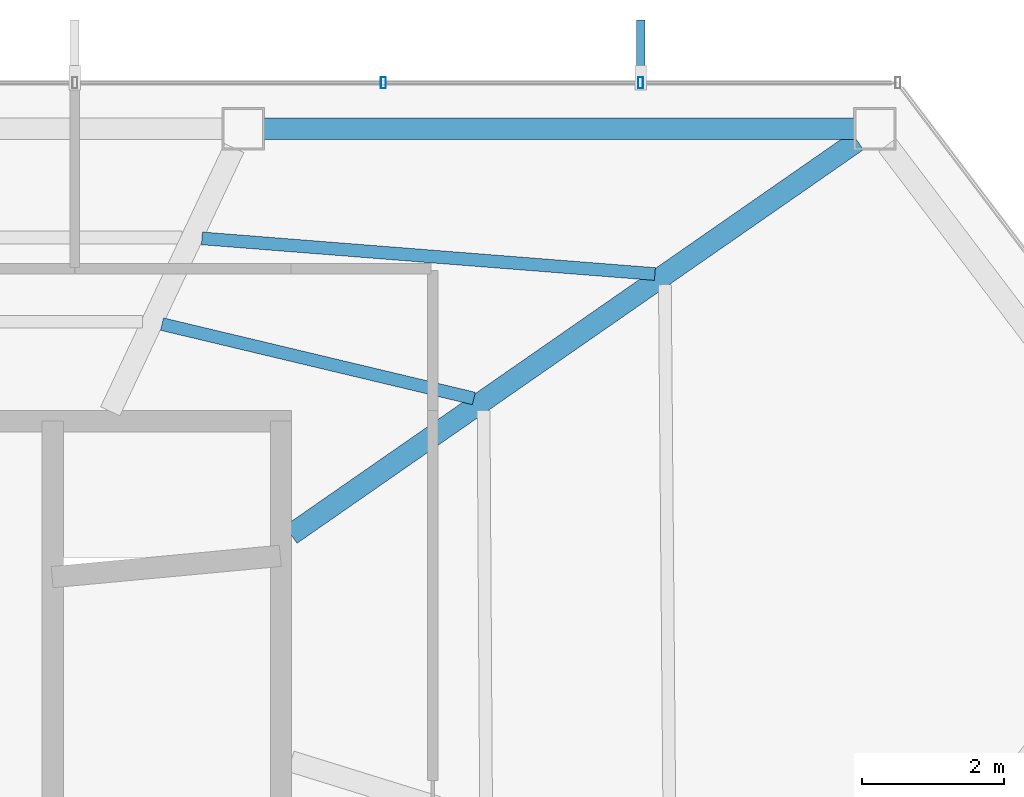
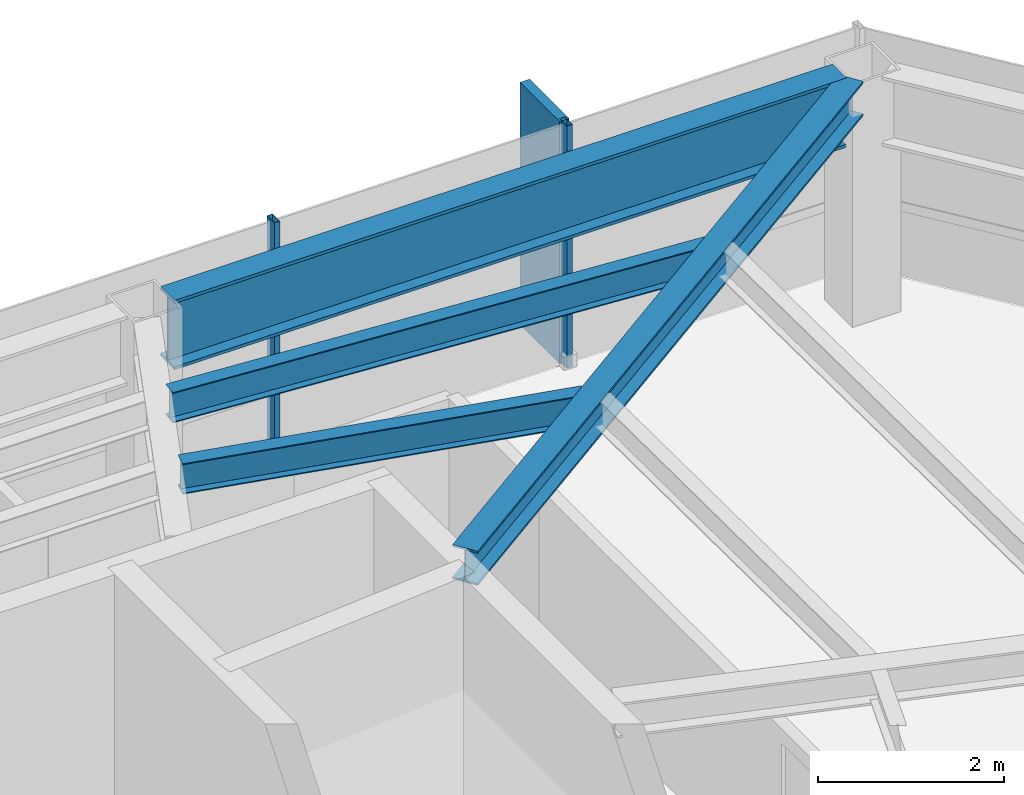
# One storey, part 21 of 27: 4 beams, 3 members, 1 element without a shape of its own.
"""IFC4 building model written with IfcOpenShell, lengths in metres."""

import ifcopenshell
import ifcopenshell.guid

model = None  # the IFC model being written
_history = None  # IfcOwnerHistory: only IFC2X3 demands one
_inside = {}  # id of a spatial element -> (the spatial element, [elements in it])
_under = {}  # id of a project, library or spatial element -> (it, [spatial elements below it])
_declared = {}  # id of a project -> (the project, [libraries it declares])
_typed = {}  # id of a type object -> (the type object, [elements of that type])
_made_of = {}  # id of a material, layer set ... -> (it, [elements and type objects made of it])


def new_model(schema):
    """Start an empty IFC model of exactly this schema.

    Asked for "IFC4X3", IfcOpenShell would pick the latest addendum, in which some entities
    have other attributes; the version numbers below select the first issue.
    IFC2X3 requires an IfcOwnerHistory on every rooted entity: one is made here for all.
    """
    global model, _history
    if schema == "IFC4X3":
        model = ifcopenshell.file(schema_version=(4, 3, 0, 0))
    else:
        model = ifcopenshell.file(schema=schema)
    _inside.clear()
    _under.clear()
    _declared.clear()
    _typed.clear()
    _made_of.clear()
    _history = None
    if model.schema == "IFC2X3":
        org = make("IfcOrganization", Name="unknown")
        user = make(
            "IfcPersonAndOrganization",
            ThePerson=make("IfcPerson", FamilyName="unknown"),
            TheOrganization=org,
        )
        app = make(
            "IfcApplication",
            ApplicationDeveloper=org,
            Version="unknown",
            ApplicationFullName="unknown",
            ApplicationIdentifier="unknown",
        )
        _history = make(
            "IfcOwnerHistory",
            OwningUser=user,
            OwningApplication=app,
            ChangeAction="ADDED",
            CreationDate=0,
        )
    return model


def make(cls, **values):
    """One entity of the class cls with the attributes given. An attribute that is None is left unset."""
    return model.create_entity(
        cls, **{name: value for name, value in values.items() if value is not None}
    )


def rooted(cls, **values):
    """An entity with a GlobalId (a new one), such as an element, a storey or a relation."""
    return make(cls, GlobalId=ifcopenshell.guid.new(), OwnerHistory=_history, **values)


def si_unit(unit_type, name, prefix=None):
    """IfcSIUnit, for example si_unit("LENGTHUNIT", "METRE", prefix="MILLI")."""
    return make("IfcSIUnit", UnitType=unit_type, Prefix=prefix, Name=name)


def assignment(units):
    """IfcUnitAssignment: the units of a project."""
    return None if units is None else make("IfcUnitAssignment", Units=units)


def point(xyz):
    """IfcCartesianPoint."""
    return None if xyz is None else make("IfcCartesianPoint", Coordinates=xyz)


def direction(xyz):
    """IfcDirection."""
    return None if xyz is None else make("IfcDirection", DirectionRatios=xyz)


def frame(location, z_axis=None, x_axis=None):
    """IfcAxis2Placement3D, a coordinate frame: its origin and axes. An axis left out is left unset."""
    return make(
        "IfcAxis2Placement3D",
        Location=point(location),
        Axis=direction(z_axis),
        RefDirection=direction(x_axis),
    )


def frame_2d(location, x_axis=None):
    """IfcAxis2Placement2D, a coordinate frame in the plane: its origin and x axis."""
    return make(
        "IfcAxis2Placement2D", Location=point(location), RefDirection=direction(x_axis)
    )


def origin():
    """The frame at (0, 0, 0) with its axes left unset."""
    return frame((0.0, 0.0, 0.0))


def origin_2d():
    """The frame at (0, 0) in the plane with its x axis left unset."""
    return frame_2d((0.0, 0.0))


def place(relative_to, where):
    """IfcLocalPlacement: puts the frame where relative to a parent placement (None: the world)."""
    return make(
        "IfcLocalPlacement", PlacementRelTo=relative_to, RelativePlacement=where
    )


def context(
    kind, dimensions, precision=None, world=None, true_north=None, identifier=None
):
    """IfcGeometricRepresentationContext, for example the 3D "Model" context."""
    return make(
        "IfcGeometricRepresentationContext",
        ContextIdentifier=identifier,
        ContextType=kind,
        CoordinateSpaceDimension=dimensions,
        Precision=precision,
        WorldCoordinateSystem=world,
        TrueNorth=true_north,
    )


def subcontext(parent, identifier, kind, view, scale=None):
    """IfcGeometricRepresentationSubContext, for example "Body" below "Model"."""
    return make(
        "IfcGeometricRepresentationSubContext",
        ContextIdentifier=identifier,
        ContextType=kind,
        ParentContext=parent,
        TargetScale=scale,
        TargetView=view,
    )


def project(units=None, contexts=None):
    """IfcProject with its units and contexts."""
    return rooted(
        "IfcProject",
        Name="project",
        RepresentationContexts=contexts,
        UnitsInContext=assignment(units),
    )


def spatial(cls, under=None, at=None, **own):
    """A site, building, storey or space (cls), placed at a placement, below another one or the project."""
    s = rooted(cls, ObjectPlacement=at, **own)
    if under is not None:
        _under.setdefault(under.id(), (under, []))[1].append(s)
    return s


def profile(cls, at=None, kind="AREA", **sizes):
    """A parametric profile (cls). Its sizes go by their IFC names, for example OverallWidth=200.0."""
    return make(cls, ProfileType=kind, Position=at, **sizes)


def rectangle(**sizes):
    """IfcRectangleProfileDef."""
    return profile("IfcRectangleProfileDef", **sizes)


def hollow_rectangle(**sizes):
    """IfcRectangleHollowProfileDef."""
    return profile("IfcRectangleHollowProfileDef", **sizes)


def i_section(**sizes):
    """IfcIShapeProfileDef."""
    return profile("IfcIShapeProfileDef", **sizes)


def extrude(swept, where, along, depth):
    """IfcExtrudedAreaSolid: the profile swept, set in the frame where, extruded along a direction by depth."""
    return make(
        "IfcExtrudedAreaSolid",
        SweptArea=swept,
        Position=where,
        ExtrudedDirection=direction(along),
        Depth=depth,
    )


def shape(context_of_items, identifier, shape_type, items):
    """IfcShapeRepresentation: the items that make up one representation, for example the "Body"."""
    return make(
        "IfcShapeRepresentation",
        ContextOfItems=context_of_items,
        RepresentationIdentifier=identifier,
        RepresentationType=shape_type,
        Items=items,
    )


def material(Name=None, Category=None):
    """IfcMaterial."""
    return make("IfcMaterial", Name=Name, Category=Category)


def layer(
    of_material, thickness, ventilated=None, Name=None, Category=None, Priority=None
):
    """IfcMaterialLayer: one layer of a wall or slab, of a material (None: an air gap)."""
    return make(
        "IfcMaterialLayer",
        Material=of_material,
        LayerThickness=thickness,
        IsVentilated=ventilated,
        Name=Name,
        Category=Category,
        Priority=Priority,
    )


def layer_set(layers, Name=None):
    """IfcMaterialLayerSet."""
    return make("IfcMaterialLayerSet", MaterialLayers=layers, LayerSetName=Name)


def material_profile(
    of_material, cross_section, Name=None, Category=None, Priority=None
):
    """IfcMaterialProfile: a cross section and its material."""
    return make(
        "IfcMaterialProfile",
        Name=Name,
        Material=of_material,
        Profile=cross_section,
        Priority=Priority,
        Category=Category,
    )


def profile_set(profiles, Name=None, composite=None):
    """IfcMaterialProfileSet."""
    return make(
        "IfcMaterialProfileSet",
        Name=Name,
        MaterialProfiles=profiles,
        CompositeProfile=composite,
    )


def made_of(thing, what):
    """Note that an element or type object is made of a material, layer set ...; save() writes the relation."""
    if what is not None:
        _made_of.setdefault(what.id(), (what, []))[1].append(thing)
    return thing


def type_object(cls, material=None, **own):
    """A type object (cls), such as IfcWallType, which elements share."""
    return made_of(rooted(cls, **own), material)


def element(
    cls,
    number,
    at=None,
    inside=None,
    cuts=None,
    type_object=None,
    material=None,
    context=None,
    identifier="Body",
    shape_type=None,
    held_by="IfcProductDefinitionShape",
    body=None,
    shapes=None,
    **own,
):
    """One element of the class cls, such as IfcWall. Its Tag is "e" and its number.

    at: its placement. inside: the storey or other place that contains it. cuts: it is an
    opening in that element (IfcRelVoidsElement). A single representation is given by context,
    identifier, shape_type and body (its items); several are given by shapes. held_by: the class
    of the entity that holds the representations. save() writes the other relations.
    """
    e = rooted(cls, Tag="e%d" % number, ObjectPlacement=at, **own)
    if body is not None:
        shapes = [shape(context, identifier, shape_type, body)]
    if shapes is not None:
        e.Representation = make(held_by, Representations=shapes)
    if inside is not None:
        _inside.setdefault(inside.id(), (inside, []))[1].append(e)
    if cuts is not None:
        rooted(
            "IfcRelVoidsElement", RelatingBuildingElement=cuts, RelatedOpeningElement=e
        )
    if type_object is not None:
        _typed.setdefault(type_object.id(), (type_object, []))[1].append(e)
    return made_of(e, material)


def aggregate(whole, parts):
    """IfcRelAggregates: a whole, such as a stair, and the parts it consists of."""
    return rooted("IfcRelAggregates", RelatingObject=whole, RelatedObjects=parts)


def save(model, path):
    """Write the relations noted so far, then the file.

    IfcRelAggregates (storeys below a building ...), IfcRelContainedInSpatialStructure (elements
    in a storey), IfcRelDefinesByType, IfcRelAssociatesMaterial and IfcRelDeclares: one each for
    every whole, place, type object, material and project.
    """
    for whole, parts in _under.values():
        aggregate(whole, parts)
    for where, things in _inside.values():
        rooted(
            "IfcRelContainedInSpatialStructure",
            RelatedElements=things,
            RelatingStructure=where,
        )
    for kind, things in _typed.values():
        rooted("IfcRelDefinesByType", RelatedObjects=things, RelatingType=kind)
    for what, things in _made_of.values():
        rooted("IfcRelAssociatesMaterial", RelatedObjects=things, RelatingMaterial=what)
    for by, libraries in _declared.values():
        rooted("IfcRelDeclares", RelatingContext=by, RelatedDefinitions=libraries)
    model.write(path)


model = new_model("IFC4")

# Units and contexts
model_context = context("Model", 3, precision=1e-05, world=origin(), true_north=direction((0.0, 1.0)))
body_context = subcontext(model_context, "Body", "Model", "MODEL_VIEW")
ifc_project = project(units=[si_unit("LENGTHUNIT", "METRE"), si_unit("AREAUNIT", "SQUARE_METRE"), si_unit("VOLUMEUNIT", "CUBIC_METRE"), si_unit("PLANEANGLEUNIT", "RADIAN"), si_unit("MASSUNIT", "GRAM", prefix="KILO")], contexts=[model_context])

# Site, building, storey
site_placement = place(None, origin())
site = spatial("IfcSite", under=ifc_project, at=site_placement, CompositionType="ELEMENT")
building_placement = place(site_placement, origin())
building = spatial("IfcBuilding", under=site, at=building_placement, Name="Zarrinselat Tower", CompositionType="ELEMENT")
storey_placement = place(building_placement, frame((0.0, 0.0, 229.159912109375)))
storey = spatial("IfcBuildingStorey", under=building, at=storey_placement, Name="L57", CompositionType="ELEMENT", Elevation=229.159912109375)

# Beams
ifc_material_1 = material(Name="Steel S355J2", Category="steel")
ifc_material_profile_1 = material_profile(ifc_material_1, i_section(OverallWidth=0.300048828125, OverallDepth=0.449951171875, WebThickness=0.013916015625, FlangeThickness=0.02587890625, at=origin_2d()), Name="HEB 450")
ifc_profile_set_1 = profile_set([ifc_material_profile_1], Name="Steel S355J2")
beam_type_1 = type_object("IfcBeamType", Name="BM-HEB450", PredefinedType="BEAM", material=ifc_profile_set_1)
beam_1_placement = place(storey_placement, frame((48.35009765625, 41.800048828125, 2.955078125), z_axis=(0.821180621755, 0.570668368191, 0.0), x_axis=(-0.570668368191, 0.821180621755, 0.0)))
element("IfcBeam", 1, at=beam_1_placement, inside=storey, type_object=beam_type_1, Name="L57 Radial Primary Girder RG01", PredefinedType="BEAM", context=body_context, shape_type="SweptSolid", body=[
    extrude(i_section(OverallWidth=0.300048828125, OverallDepth=0.449951171875, WebThickness=0.013916015625, FlangeThickness=0.02587890625, at=origin_2d()), origin(), (0.0, 0.0, 1.0), 9.73486328125),
])
ifc_material_2 = material(Name="Steel S460M", Category="steel")
ifc_material_profile_2 = material_profile(ifc_material_2, i_section(OverallWidth=0.302001953125, OverallDepth=0.909912109375, WebThickness=0.02099609375, FlangeThickness=0.0400390625, at=origin_2d()), Name="HEM 900")
ifc_profile_set_2 = profile_set([ifc_material_profile_2], Name="Steel S460M")
beam_type_2 = type_object("IfcBeamType", Name="BM-HEM900", PredefinedType="BEAM", material=ifc_profile_set_2)
beam_2_placement = place(storey_placement, frame((47.9658203125, 47.52783203125, 2.72509765625), z_axis=(1.0, 0.0, 0.0), x_axis=(0.0, 1.0, 0.0)))
element("IfcBeam", 2, at=beam_2_placement, inside=storey, type_object=beam_type_2, Name="L57 Perimeter Spandrel Girder SP01", PredefinedType="BEAM", context=body_context, shape_type="SweptSolid", body=[
    extrude(i_section(OverallWidth=0.302001953125, OverallDepth=0.909912109375, WebThickness=0.02099609375, FlangeThickness=0.0400390625, at=origin_2d()), origin(), (0.0, 0.0, 1.0), 8.33837890625),
])
ifc_material_3 = material(Name="Steel S355J2", Category="steel")
ifc_material_profile_3 = material_profile(ifc_material_3, i_section(OverallWidth=0.179931640625, OverallDepth=0.39990234375, WebThickness=0.008544921875, FlangeThickness=0.013427734375, at=origin_2d()), Name="IPE 400")
ifc_profile_set_3 = profile_set([ifc_material_profile_3], Name="Steel S355J2")
beam_type_3 = type_object("IfcBeamType", Name="BM-IPE400", PredefinedType="JOIST", material=ifc_profile_set_3)
beam_3_placement = place(storey_placement, frame((47.093994140625, 45.980712890625, 2.97998046875), z_axis=(0.996916516192, -0.078469482885, 0.0), x_axis=(0.078469482885, 0.996916516192, 0.0)))
element("IfcBeam", 3, at=beam_3_placement, inside=storey, type_object=beam_type_3, Name="L57 Composite Floor Joist 6-1", PredefinedType="JOIST", context=body_context, shape_type="SweptSolid", body=[
    extrude(i_section(OverallWidth=0.179931640625, OverallDepth=0.39990234375, WebThickness=0.008544921875, FlangeThickness=0.013427734375, at=origin_2d()), origin(), (0.0, 0.0, 1.0), 6.412353515625),
])
beam_4_placement = place(storey_placement, frame((46.531005859375, 44.7705078125, 2.97998046875), z_axis=(0.972732052992, -0.231931785408, 0.0), x_axis=(0.231931785408, 0.972732052992, 0.0)))
element("IfcBeam", 4, at=beam_4_placement, inside=storey, type_object=beam_type_3, Name="L57 Composite Floor Joist 6-2", PredefinedType="JOIST", context=body_context, shape_type="SweptSolid", body=[
    extrude(i_section(OverallWidth=0.179931640625, OverallDepth=0.39990234375, WebThickness=0.008544921875, FlangeThickness=0.013427734375, at=origin_2d()), origin(), (0.0, 0.0, 1.0), 4.524169921875),
])

# Curtain wall, members
ifc_material_4 = material(Name="Extruded Aluminium Alloy EN AW-6063 T6", Category="aluminium")
ifc_layer = layer(ifc_material_4, 0.169921875)
ifc_layer_set = layer_set([ifc_layer], Name="Extruded Aluminium Alloy EN AW-6063 T6")
curtain_wall_type = type_object("IfcCurtainWallType", Name="CWS-RES", PredefinedType="NOTDEFINED", material=ifc_layer_set)
curtain_wall_placement = place(storey_placement, origin())
curtain_wall = element("IfcCurtainWall", 5, at=curtain_wall_placement, inside=storey, type_object=curtain_wall_type, Name="L57 Unitised Curtain Wall CW-L57-E01", PredefinedType="NOTDEFINED")
ifc_material_5 = material(Name="Extruded Aluminium Alloy EN AW-6063 T6", Category="aluminium")
ifc_material_profile_4 = material_profile(ifc_material_5, hollow_rectangle(XDim=0.070068359375, YDim=0.159912109375, WallThickness=0.00390625, at=origin_2d()), Name="RHS 160x70x4")
ifc_profile_set_4 = profile_set([ifc_material_profile_4], Name="Extruded Aluminium Alloy EN AW-6063 T6")
member_type_1 = type_object("IfcMemberType", Name="MEM-CW-MUL2", PredefinedType="MULLION", material=ifc_profile_set_4)
member_1_placement = place(storey_placement, frame((53.284912109375, 48.177734375, 0.0), z_axis=(0.0, 0.0, 1.0), x_axis=(-1.0, 0.0, 0.0)))
member_1 = element("IfcMember", 6, at=member_1_placement, type_object=member_type_1, Name="CW-L57-E01 Mullion 1", PredefinedType="MULLION", context=body_context, shape_type="SweptSolid", body=[
    extrude(hollow_rectangle(XDim=0.070068359375, YDim=0.159912109375, WallThickness=0.00390625, at=origin_2d()), origin(), (0.0, 0.0, 1.0), 3.18017578125),
])
member_2_placement = place(storey_placement, frame((49.654541015625, 48.177734375, 0.0), z_axis=(0.0, 0.0, 1.0), x_axis=(-1.0, 0.0, 0.0)))
member_2 = element("IfcMember", 7, at=member_2_placement, type_object=member_type_1, Name="CW-L57-E01 Mullion 2", PredefinedType="MULLION", context=body_context, shape_type="SweptSolid", body=[
    extrude(hollow_rectangle(XDim=0.070068359375, YDim=0.159912109375, WallThickness=0.00390625, at=origin_2d()), origin(), (0.0, 0.0, 1.0), 3.18017578125),
])
ifc_material_6 = material(Name="Honed Cream Travertine Stone", Category="masonry")
ifc_material_profile_5 = material_profile(ifc_material_6, rectangle(XDim=0.1201171875, YDim=0.85009765625, at=origin_2d()), Name="FIN 850x120")
ifc_profile_set_5 = profile_set([ifc_material_profile_5], Name="Honed Cream Travertine Stone")
member_type_2 = type_object("IfcMemberType", Name="MEM-STONE-FIN", PredefinedType="USERDEFINED", material=ifc_profile_set_5)
member_3_placement = place(storey_placement, frame((53.284912109375, 48.6376953125, 0.0), z_axis=(0.0, 0.0, 1.0), x_axis=(1.0, 0.0, 0.0)))
member_3 = element("IfcMember", 8, at=member_3_placement, type_object=member_type_2, Name="L57 Stone Shading Fin CW-L57-E01-01", ObjectType="FIN", PredefinedType="USERDEFINED", context=body_context, shape_type="SweptSolid", body=[
    extrude(rectangle(XDim=0.1201171875, YDim=0.85009765625, at=origin_2d()), origin(), (0.0, 0.0, 1.0), 3.18017578125),
])
aggregate(curtain_wall, [member_1, member_3, member_2])

save(model, "model.ifc")
